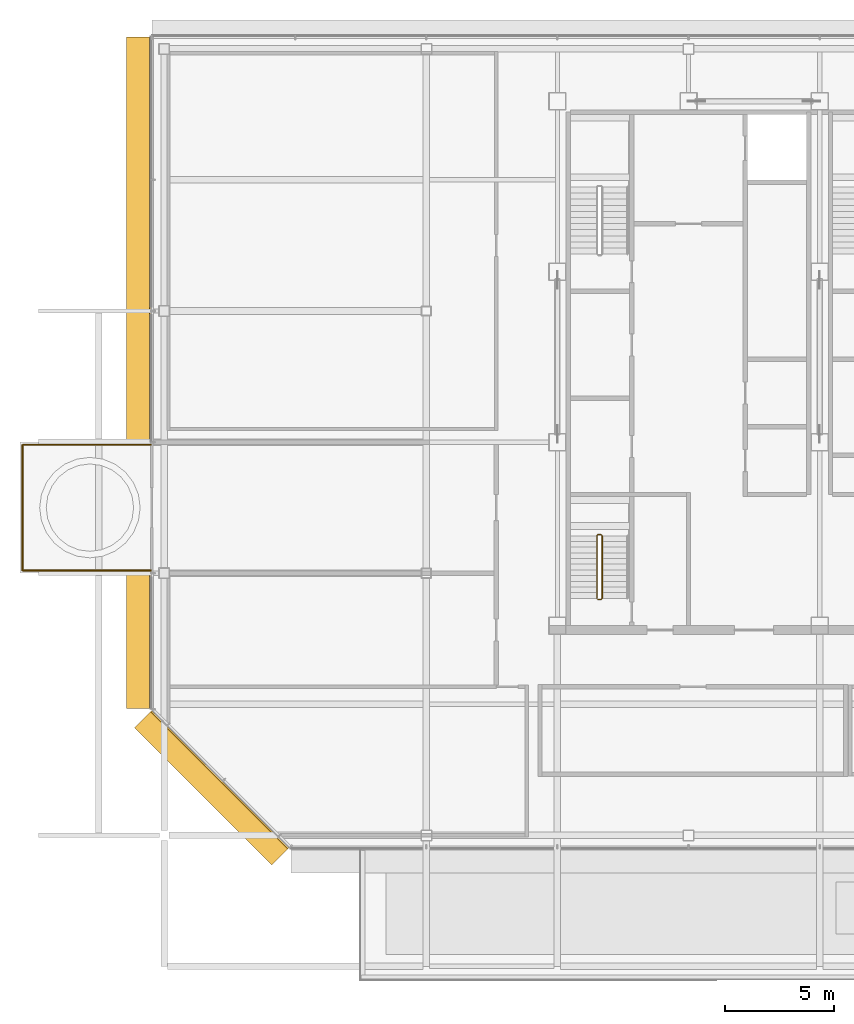
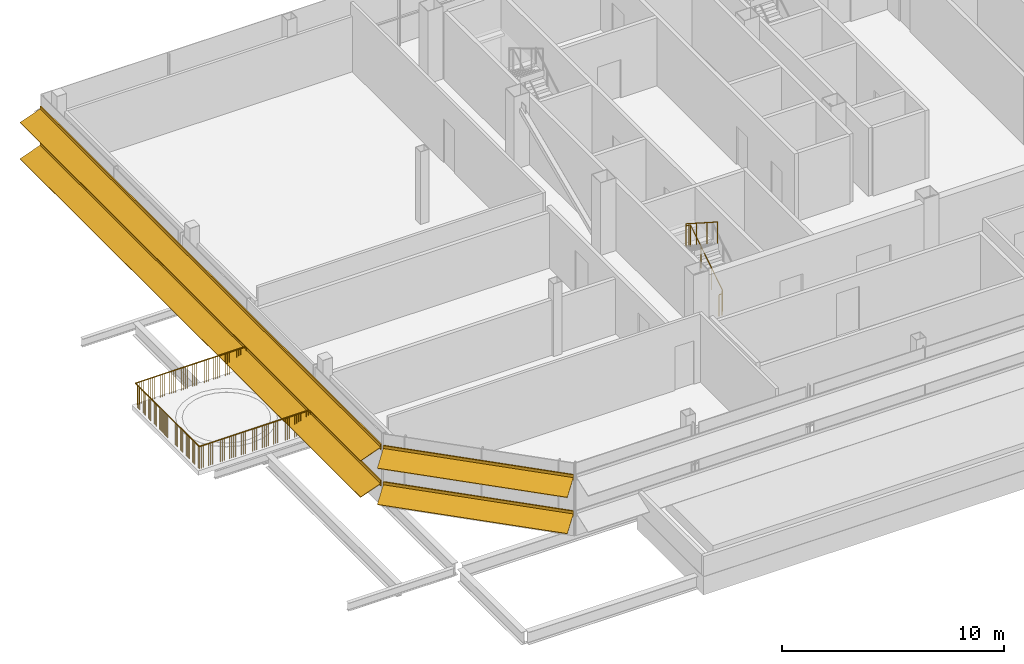
# One storey, part 24 of 26: 4 railings, 2 shading devices.
"""IFC4 building model written with IfcOpenShell, lengths in metres."""

import ifcopenshell
import ifcopenshell.guid

model = None  # the IFC model being written
_history = None  # IfcOwnerHistory: only IFC2X3 demands one
_inside = {}  # id of a spatial element -> (the spatial element, [elements in it])
_under = {}  # id of a project, library or spatial element -> (it, [spatial elements below it])
_declared = {}  # id of a project -> (the project, [libraries it declares])
_typed = {}  # id of a type object -> (the type object, [elements of that type])
_made_of = {}  # id of a material, layer set ... -> (it, [elements and type objects made of it])


def new_model(schema):
    """Start an empty IFC model of exactly this schema.

    Asked for "IFC4X3", IfcOpenShell would pick the latest addendum, in which some entities
    have other attributes; the version numbers below select the first issue.
    IFC2X3 requires an IfcOwnerHistory on every rooted entity: one is made here for all.
    """
    global model, _history
    if schema == "IFC4X3":
        model = ifcopenshell.file(schema_version=(4, 3, 0, 0))
    else:
        model = ifcopenshell.file(schema=schema)
    _inside.clear()
    _under.clear()
    _declared.clear()
    _typed.clear()
    _made_of.clear()
    _history = None
    if model.schema == "IFC2X3":
        org = make("IfcOrganization", Name="unknown")
        user = make(
            "IfcPersonAndOrganization",
            ThePerson=make("IfcPerson", FamilyName="unknown"),
            TheOrganization=org,
        )
        app = make(
            "IfcApplication",
            ApplicationDeveloper=org,
            Version="unknown",
            ApplicationFullName="unknown",
            ApplicationIdentifier="unknown",
        )
        _history = make(
            "IfcOwnerHistory",
            OwningUser=user,
            OwningApplication=app,
            ChangeAction="ADDED",
            CreationDate=0,
        )
    return model


def make(cls, **values):
    """One entity of the class cls with the attributes given. An attribute that is None is left unset."""
    return model.create_entity(
        cls, **{name: value for name, value in values.items() if value is not None}
    )


def rooted(cls, **values):
    """An entity with a GlobalId (a new one), such as an element, a storey or a relation."""
    return make(cls, GlobalId=ifcopenshell.guid.new(), OwnerHistory=_history, **values)


def si_unit(unit_type, name, prefix=None):
    """IfcSIUnit, for example si_unit("LENGTHUNIT", "METRE", prefix="MILLI")."""
    return make("IfcSIUnit", UnitType=unit_type, Prefix=prefix, Name=name)


def assignment(units):
    """IfcUnitAssignment: the units of a project."""
    return None if units is None else make("IfcUnitAssignment", Units=units)


def point(xyz):
    """IfcCartesianPoint."""
    return None if xyz is None else make("IfcCartesianPoint", Coordinates=xyz)


def direction(xyz):
    """IfcDirection."""
    return None if xyz is None else make("IfcDirection", DirectionRatios=xyz)


def frame(location, z_axis=None, x_axis=None):
    """IfcAxis2Placement3D, a coordinate frame: its origin and axes. An axis left out is left unset."""
    return make(
        "IfcAxis2Placement3D",
        Location=point(location),
        Axis=direction(z_axis),
        RefDirection=direction(x_axis),
    )


def frame_2d(location, x_axis=None):
    """IfcAxis2Placement2D, a coordinate frame in the plane: its origin and x axis."""
    return make(
        "IfcAxis2Placement2D", Location=point(location), RefDirection=direction(x_axis)
    )


def origin():
    """The frame at (0, 0, 0) with its axes left unset."""
    return frame((0.0, 0.0, 0.0))


def origin_2d():
    """The frame at (0, 0) in the plane with its x axis left unset."""
    return frame_2d((0.0, 0.0))


def place(relative_to, where):
    """IfcLocalPlacement: puts the frame where relative to a parent placement (None: the world)."""
    return make(
        "IfcLocalPlacement", PlacementRelTo=relative_to, RelativePlacement=where
    )


def context(
    kind, dimensions, precision=None, world=None, true_north=None, identifier=None
):
    """IfcGeometricRepresentationContext, for example the 3D "Model" context."""
    return make(
        "IfcGeometricRepresentationContext",
        ContextIdentifier=identifier,
        ContextType=kind,
        CoordinateSpaceDimension=dimensions,
        Precision=precision,
        WorldCoordinateSystem=world,
        TrueNorth=true_north,
    )


def subcontext(parent, identifier, kind, view, scale=None):
    """IfcGeometricRepresentationSubContext, for example "Body" below "Model"."""
    return make(
        "IfcGeometricRepresentationSubContext",
        ContextIdentifier=identifier,
        ContextType=kind,
        ParentContext=parent,
        TargetScale=scale,
        TargetView=view,
    )


def project(units=None, contexts=None):
    """IfcProject with its units and contexts."""
    return rooted(
        "IfcProject",
        Name="project",
        RepresentationContexts=contexts,
        UnitsInContext=assignment(units),
    )


def spatial(cls, under=None, at=None, **own):
    """A site, building, storey or space (cls), placed at a placement, below another one or the project."""
    s = rooted(cls, ObjectPlacement=at, **own)
    if under is not None:
        _under.setdefault(under.id(), (under, []))[1].append(s)
    return s


def polyline(points):
    """IfcPolyline through the points."""
    return make("IfcPolyline", Points=[point(p) for p in points])


def profile(cls, at=None, kind="AREA", **sizes):
    """A parametric profile (cls). Its sizes go by their IFC names, for example OverallWidth=200.0."""
    return make(cls, ProfileType=kind, Position=at, **sizes)


def circle(**sizes):
    """IfcCircleProfileDef."""
    return profile("IfcCircleProfileDef", **sizes)


def outline(outer, holes=None, kind="AREA"):
    """IfcArbitraryClosedProfileDef: a profile drawn as a closed curve; with holes, ...WithVoids."""
    if holes is None:
        return make("IfcArbitraryClosedProfileDef", ProfileType=kind, OuterCurve=outer)
    return make(
        "IfcArbitraryProfileDefWithVoids",
        ProfileType=kind,
        OuterCurve=outer,
        InnerCurves=holes,
    )


def composite_profile(profiles, kind="AREA"):
    """IfcCompositeProfileDef: several profiles as one."""
    return make("IfcCompositeProfileDef", ProfileType=kind, Profiles=profiles)


def extrude(swept, where, along, depth):
    """IfcExtrudedAreaSolid: the profile swept, set in the frame where, extruded along a direction by depth."""
    return make(
        "IfcExtrudedAreaSolid",
        SweptArea=swept,
        Position=where,
        ExtrudedDirection=direction(along),
        Depth=depth,
    )


def shape(context_of_items, identifier, shape_type, items):
    """IfcShapeRepresentation: the items that make up one representation, for example the "Body"."""
    return make(
        "IfcShapeRepresentation",
        ContextOfItems=context_of_items,
        RepresentationIdentifier=identifier,
        RepresentationType=shape_type,
        Items=items,
    )


def material(Name=None, Category=None):
    """IfcMaterial."""
    return make("IfcMaterial", Name=Name, Category=Category)


def made_of(thing, what):
    """Note that an element or type object is made of a material, layer set ...; save() writes the relation."""
    if what is not None:
        _made_of.setdefault(what.id(), (what, []))[1].append(thing)
    return thing


def type_object(cls, material=None, **own):
    """A type object (cls), such as IfcWallType, which elements share."""
    return made_of(rooted(cls, **own), material)


def element(
    cls,
    number,
    at=None,
    inside=None,
    cuts=None,
    type_object=None,
    material=None,
    context=None,
    identifier="Body",
    shape_type=None,
    held_by="IfcProductDefinitionShape",
    body=None,
    shapes=None,
    **own,
):
    """One element of the class cls, such as IfcWall. Its Tag is "e" and its number.

    at: its placement. inside: the storey or other place that contains it. cuts: it is an
    opening in that element (IfcRelVoidsElement). A single representation is given by context,
    identifier, shape_type and body (its items); several are given by shapes. held_by: the class
    of the entity that holds the representations. save() writes the other relations.
    """
    e = rooted(cls, Tag="e%d" % number, ObjectPlacement=at, **own)
    if body is not None:
        shapes = [shape(context, identifier, shape_type, body)]
    if shapes is not None:
        e.Representation = make(held_by, Representations=shapes)
    if inside is not None:
        _inside.setdefault(inside.id(), (inside, []))[1].append(e)
    if cuts is not None:
        rooted(
            "IfcRelVoidsElement", RelatingBuildingElement=cuts, RelatedOpeningElement=e
        )
    if type_object is not None:
        _typed.setdefault(type_object.id(), (type_object, []))[1].append(e)
    return made_of(e, material)


def aggregate(whole, parts):
    """IfcRelAggregates: a whole, such as a stair, and the parts it consists of."""
    return rooted("IfcRelAggregates", RelatingObject=whole, RelatedObjects=parts)


def save(model, path):
    """Write the relations noted so far, then the file.

    IfcRelAggregates (storeys below a building ...), IfcRelContainedInSpatialStructure (elements
    in a storey), IfcRelDefinesByType, IfcRelAssociatesMaterial and IfcRelDeclares: one each for
    every whole, place, type object, material and project.
    """
    for whole, parts in _under.values():
        aggregate(whole, parts)
    for where, things in _inside.values():
        rooted(
            "IfcRelContainedInSpatialStructure",
            RelatedElements=things,
            RelatingStructure=where,
        )
    for kind, things in _typed.values():
        rooted("IfcRelDefinesByType", RelatedObjects=things, RelatingType=kind)
    for what, things in _made_of.values():
        rooted("IfcRelAssociatesMaterial", RelatedObjects=things, RelatingMaterial=what)
    for by, libraries in _declared.values():
        rooted("IfcRelDeclares", RelatingContext=by, RelatedDefinitions=libraries)
    model.write(path)


model = new_model("IFC4")

# Units and contexts
model_context = context("Model", 3, precision=1e-05, world=origin(), true_north=direction((0.0, 1.0)))
body_context = subcontext(model_context, "Body", "Model", "MODEL_VIEW")
ifc_project = project(units=[si_unit("LENGTHUNIT", "METRE"), si_unit("AREAUNIT", "SQUARE_METRE"), si_unit("VOLUMEUNIT", "CUBIC_METRE"), si_unit("PLANEANGLEUNIT", "RADIAN"), si_unit("MASSUNIT", "GRAM", prefix="KILO")], contexts=[model_context])

# Site, building, storey
site_placement = place(None, origin())
site = spatial("IfcSite", under=ifc_project, at=site_placement, CompositionType="ELEMENT")
building_placement = place(site_placement, origin())
building = spatial("IfcBuilding", under=site, at=building_placement, Name="Sorahane Residences", CompositionType="ELEMENT")
storey_placement = place(building_placement, frame((0.0, 0.0, 337.800048828125)))
storey = spatial("IfcBuildingStorey", under=building, at=storey_placement, Name="L80", CompositionType="ELEMENT", Elevation=337.800048828125)

# Shading devices
ifc_material_1 = material(Name="Terracotta anodised aluminium", Category="masonry")
shading_device_type_1 = type_object("IfcShadingDeviceType", Name="Louvre sunshade blade SW terracotta aluminium 1100", PredefinedType="JALOUSIE", material=ifc_material_1)
shading_device_1_placement = place(storey_placement, frame((-12.564697265625, 17.716064453125, 1.0), z_axis=(0.707106781187, -0.707106781187, 0.0), x_axis=(0.707106781187, 0.707106781187, 0.0)))
element("IfcShadingDevice", 1, at=shading_device_1_placement, inside=storey, type_object=shading_device_type_1, Name="Louvre sunshade blade bank SW L80 SW1", PredefinedType="JALOUSIE", context=body_context, shape_type="SweptSolid", body=[
    extrude(composite_profile([outline(polyline([(-1.1201171875, -0.385498046875), (-1.1201171875, -0.415283203125), (-0.080078125, -0.036865234375), (-0.080078125, -0.14990234375), (-0.02001953125, -0.14990234375), (-0.02001953125, -0.014892578125), (-0.02001953125, 0.014892578125), (-0.02001953125, 0.14990234375), (-0.080078125, 0.14990234375), (-0.080078125, -0.0068359375), (-1.1201171875, -0.385498046875)])), outline(polyline([(-1.1201171875, 1.614501953125), (-1.1201171875, 1.584716796875), (-0.080078125, 1.963134765625), (-0.080078125, 1.85009765625), (-0.02001953125, 1.85009765625), (-0.02001953125, 1.985107421875), (-0.02001953125, 2.014892578125), (-0.02001953125, 2.14990234375), (-0.080078125, 2.14990234375), (-0.080078125, 1.9931640625), (-1.1201171875, 1.614501953125)]))]), origin(), (0.0, 0.0, 1.0), 8.88232421875),
])
ifc_material_2 = material(Name="Terracotta anodised aluminium", Category="masonry")
shading_device_type_2 = type_object("IfcShadingDeviceType", Name="Louvre sunshade blade W terracotta aluminium 1100", PredefinedType="JALOUSIE", material=ifc_material_2)
shading_device_2_placement = place(storey_placement, frame((-12.60009765625, 48.550048828125, 1.0), z_axis=(0.0, -1.0, 0.0), x_axis=(1.0, 0.0, 0.0)))
element("IfcShadingDevice", 2, at=shading_device_2_placement, inside=storey, type_object=shading_device_type_2, Name="Louvre sunshade blade bank W L80 W1", PredefinedType="JALOUSIE", context=body_context, shape_type="SweptSolid", body=[
    extrude(composite_profile([outline(polyline([(-1.1201171875, -0.385498046875), (-1.1201171875, -0.415283203125), (-0.080078125, -0.036865234375), (-0.080078125, -0.14990234375), (-0.02001953125, -0.14990234375), (-0.02001953125, -0.014892578125), (-0.02001953125, 0.014892578125), (-0.02001953125, 0.14990234375), (-0.080078125, 0.14990234375), (-0.080078125, -0.0068359375), (-1.1201171875, -0.385498046875)])), outline(polyline([(-1.1201171875, 1.614501953125), (-1.1201171875, 1.584716796875), (-0.080078125, 1.963134765625), (-0.080078125, 1.85009765625), (-0.02001953125, 1.85009765625), (-0.02001953125, 1.985107421875), (-0.02001953125, 2.014892578125), (-0.02001953125, 2.14990234375), (-0.080078125, 2.14990234375), (-0.080078125, 1.9931640625), (-1.1201171875, 1.614501953125)]))]), origin(), (0.0, 0.0, 1.0), 30.74853515625),
])

# Railings
ifc_material_3 = material(Name="Black powder-coated steel", Category="steel")
railing_type_1 = type_object("IfcRailingType", Name="Rescue platform gate black steel bars 1260", PredefinedType="GUARDRAIL", material=ifc_material_3)
railing_1_placement = place(storey_placement, frame((-18.47998046875, 26.39990234375, 0.0)))
element("IfcRailing", 3, at=railing_1_placement, inside=storey, type_object=railing_type_1, Name="Rescue platform gate", PredefinedType="GUARDRAIL", context=body_context, shape_type="SweptSolid", body=[
    extrude(circle(Radius=0.030029296875, at=origin_2d()), frame((0.0, 0.0, 1.22998046875), z_axis=(0.0, 1.0, 0.0), x_axis=(-1.0, 0.0, 0.0)), (0.0, 0.0, 1.0), 1.2001953125),
    extrude(circle(Radius=0.0068359375, at=origin_2d()), origin(), (0.0, 0.0, 1.0), 1.199951171875),
    extrude(circle(Radius=0.0068359375, at=origin_2d()), frame((0.0, 0.09228515625, 0.0)), (0.0, 0.0, 1.0), 1.199951171875),
    extrude(circle(Radius=0.0068359375, at=origin_2d()), frame((0.0, 0.1845703125, 0.0)), (0.0, 0.0, 1.0), 1.199951171875),
    extrude(circle(Radius=0.0068359375, at=origin_2d()), frame((0.0, 0.27685546875, 0.0)), (0.0, 0.0, 1.0), 1.199951171875),
    extrude(circle(Radius=0.0068359375, at=origin_2d()), frame((0.0, 0.369384765625, 0.0)), (0.0, 0.0, 1.0), 1.199951171875),
    extrude(circle(Radius=0.0068359375, at=origin_2d()), frame((0.0, 0.461669921875, 0.0)), (0.0, 0.0, 1.0), 1.199951171875),
    extrude(circle(Radius=0.0068359375, at=origin_2d()), frame((0.0, 0.553955078125, 0.0)), (0.0, 0.0, 1.0), 1.199951171875),
    extrude(circle(Radius=0.0068359375, at=origin_2d()), frame((0.0, 0.646240234375, 0.0)), (0.0, 0.0, 1.0), 1.199951171875),
    extrude(circle(Radius=0.0068359375, at=origin_2d()), frame((0.0, 0.738525390625, 0.0)), (0.0, 0.0, 1.0), 1.199951171875),
    extrude(circle(Radius=0.0068359375, at=origin_2d()), frame((0.0, 0.830810546875, 0.0)), (0.0, 0.0, 1.0), 1.199951171875),
    extrude(circle(Radius=0.0068359375, at=origin_2d()), frame((0.0, 0.92333984375, 0.0)), (0.0, 0.0, 1.0), 1.199951171875),
    extrude(circle(Radius=0.0068359375, at=origin_2d()), frame((0.0, 1.015625, 0.0)), (0.0, 0.0, 1.0), 1.199951171875),
    extrude(circle(Radius=0.0068359375, at=origin_2d()), frame((0.0, 1.10791015625, 0.0)), (0.0, 0.0, 1.0), 1.199951171875),
    extrude(circle(Radius=0.0068359375, at=origin_2d()), frame((0.0, 1.2001953125, 0.0)), (0.0, 0.0, 1.0), 1.199951171875),
])
ifc_material_4 = material(Name="Black powder-coated steel", Category="steel")
railing_type_2 = type_object("IfcRailingType", Name="Rescue platform guard black steel bars 1260", PredefinedType="GUARDRAIL", material=ifc_material_4)
railing_2_placement = place(storey_placement, frame((-12.60009765625, 24.1201171875, 0.0)))
element("IfcRailing", 4, at=railing_2_placement, inside=storey, type_object=railing_type_2, Name="Rescue platform guard south and west", PredefinedType="GUARDRAIL", context=body_context, shape_type="SweptSolid", body=[
    extrude(circle(Radius=0.030029296875, at=origin_2d()), frame((0.0, 0.0, 1.22998046875), z_axis=(-1.0, 0.0, 0.0), x_axis=(0.0, -1.0, 0.0)), (0.0, 0.0, 1.0), 5.8798828125),
    extrude(circle(Radius=0.030029296875, at=origin_2d()), frame((-5.8798828125, 0.0, 1.22998046875), z_axis=(0.0, 1.0, 0.0), x_axis=(-1.0, 0.0, 0.0)), (0.0, 0.0, 1.0), 2.27978515625),
    extrude(circle(Radius=0.0068359375, at=origin_2d()), origin(), (0.0, 0.0, 1.0), 1.199951171875),
    extrude(circle(Radius=0.0068359375, at=origin_2d()), frame((-0.099609375, 0.0, 0.0)), (0.0, 0.0, 1.0), 1.199951171875),
    extrude(circle(Radius=0.0068359375, at=origin_2d()), frame((-0.19921875, 0.0, 0.0)), (0.0, 0.0, 1.0), 1.199951171875),
    extrude(circle(Radius=0.0068359375, at=origin_2d()), frame((-0.299072265625, 0.0, 0.0)), (0.0, 0.0, 1.0), 1.199951171875),
    extrude(circle(Radius=0.0068359375, at=origin_2d()), frame((-0.398681640625, 0.0, 0.0)), (0.0, 0.0, 1.0), 1.199951171875),
    extrude(circle(Radius=0.0068359375, at=origin_2d()), frame((-0.498291015625, 0.0, 0.0)), (0.0, 0.0, 1.0), 1.199951171875),
    extrude(circle(Radius=0.0068359375, at=origin_2d()), frame((-0.597900390625, 0.0, 0.0)), (0.0, 0.0, 1.0), 1.199951171875),
    extrude(circle(Radius=0.0068359375, at=origin_2d()), frame((-0.697509765625, 0.0, 0.0)), (0.0, 0.0, 1.0), 1.199951171875),
    extrude(circle(Radius=0.0068359375, at=origin_2d()), frame((-0.79736328125, 0.0, 0.0)), (0.0, 0.0, 1.0), 1.199951171875),
    extrude(circle(Radius=0.0068359375, at=origin_2d()), frame((-0.89697265625, 0.0, 0.0)), (0.0, 0.0, 1.0), 1.199951171875),
    extrude(circle(Radius=0.0068359375, at=origin_2d()), frame((-0.99658203125, 0.0, 0.0)), (0.0, 0.0, 1.0), 1.199951171875),
    extrude(circle(Radius=0.0068359375, at=origin_2d()), frame((-1.09619140625, 0.0, 0.0)), (0.0, 0.0, 1.0), 1.199951171875),
    extrude(circle(Radius=0.0068359375, at=origin_2d()), frame((-1.19580078125, 0.0, 0.0)), (0.0, 0.0, 1.0), 1.199951171875),
    extrude(circle(Radius=0.0068359375, at=origin_2d()), frame((-1.295654296875, 0.0, 0.0)), (0.0, 0.0, 1.0), 1.199951171875),
    extrude(circle(Radius=0.0068359375, at=origin_2d()), frame((-1.395263671875, 0.0, 0.0)), (0.0, 0.0, 1.0), 1.199951171875),
    extrude(circle(Radius=0.0068359375, at=origin_2d()), frame((-1.494873046875, 0.0, 0.0)), (0.0, 0.0, 1.0), 1.199951171875),
    extrude(circle(Radius=0.0068359375, at=origin_2d()), frame((-1.594482421875, 0.0, 0.0)), (0.0, 0.0, 1.0), 1.199951171875),
    extrude(circle(Radius=0.0068359375, at=origin_2d()), frame((-1.694091796875, 0.0, 0.0)), (0.0, 0.0, 1.0), 1.199951171875),
    extrude(circle(Radius=0.0068359375, at=origin_2d()), frame((-1.7939453125, 0.0, 0.0)), (0.0, 0.0, 1.0), 1.199951171875),
    extrude(circle(Radius=0.0068359375, at=origin_2d()), frame((-1.8935546875, 0.0, 0.0)), (0.0, 0.0, 1.0), 1.199951171875),
    extrude(circle(Radius=0.0068359375, at=origin_2d()), frame((-1.9931640625, 0.0, 0.0)), (0.0, 0.0, 1.0), 1.199951171875),
    extrude(circle(Radius=0.0068359375, at=origin_2d()), frame((-2.0927734375, 0.0, 0.0)), (0.0, 0.0, 1.0), 1.199951171875),
    extrude(circle(Radius=0.0068359375, at=origin_2d()), frame((-2.1923828125, 0.0, 0.0)), (0.0, 0.0, 1.0), 1.199951171875),
    extrude(circle(Radius=0.0068359375, at=origin_2d()), frame((-2.292236328125, 0.0, 0.0)), (0.0, 0.0, 1.0), 1.199951171875),
    extrude(circle(Radius=0.0068359375, at=origin_2d()), frame((-2.391845703125, 0.0, 0.0)), (0.0, 0.0, 1.0), 1.199951171875),
    extrude(circle(Radius=0.0068359375, at=origin_2d()), frame((-2.491455078125, 0.0, 0.0)), (0.0, 0.0, 1.0), 1.199951171875),
    extrude(circle(Radius=0.0068359375, at=origin_2d()), frame((-2.591064453125, 0.0, 0.0)), (0.0, 0.0, 1.0), 1.199951171875),
    extrude(circle(Radius=0.0068359375, at=origin_2d()), frame((-2.690673828125, 0.0, 0.0)), (0.0, 0.0, 1.0), 1.199951171875),
    extrude(circle(Radius=0.0068359375, at=origin_2d()), frame((-2.79052734375, 0.0, 0.0)), (0.0, 0.0, 1.0), 1.199951171875),
    extrude(circle(Radius=0.0068359375, at=origin_2d()), frame((-2.89013671875, 0.0, 0.0)), (0.0, 0.0, 1.0), 1.199951171875),
    extrude(circle(Radius=0.0068359375, at=origin_2d()), frame((-2.98974609375, 0.0, 0.0)), (0.0, 0.0, 1.0), 1.199951171875),
    extrude(circle(Radius=0.0068359375, at=origin_2d()), frame((-3.08935546875, 0.0, 0.0)), (0.0, 0.0, 1.0), 1.199951171875),
    extrude(circle(Radius=0.0068359375, at=origin_2d()), frame((-3.189208984375, 0.0, 0.0)), (0.0, 0.0, 1.0), 1.199951171875),
    extrude(circle(Radius=0.0068359375, at=origin_2d()), frame((-3.288818359375, 0.0, 0.0)), (0.0, 0.0, 1.0), 1.199951171875),
    extrude(circle(Radius=0.0068359375, at=origin_2d()), frame((-3.388427734375, 0.0, 0.0)), (0.0, 0.0, 1.0), 1.199951171875),
    extrude(circle(Radius=0.0068359375, at=origin_2d()), frame((-3.488037109375, 0.0, 0.0)), (0.0, 0.0, 1.0), 1.199951171875),
    extrude(circle(Radius=0.0068359375, at=origin_2d()), frame((-3.587646484375, 0.0, 0.0)), (0.0, 0.0, 1.0), 1.199951171875),
    extrude(circle(Radius=0.0068359375, at=origin_2d()), frame((-3.6875, 0.0, 0.0)), (0.0, 0.0, 1.0), 1.199951171875),
    extrude(circle(Radius=0.0068359375, at=origin_2d()), frame((-3.787109375, 0.0, 0.0)), (0.0, 0.0, 1.0), 1.199951171875),
    extrude(circle(Radius=0.0068359375, at=origin_2d()), frame((-3.88671875, 0.0, 0.0)), (0.0, 0.0, 1.0), 1.199951171875),
    extrude(circle(Radius=0.0068359375, at=origin_2d()), frame((-3.986328125, 0.0, 0.0)), (0.0, 0.0, 1.0), 1.199951171875),
    extrude(circle(Radius=0.0068359375, at=origin_2d()), frame((-4.0859375, 0.0, 0.0)), (0.0, 0.0, 1.0), 1.199951171875),
    extrude(circle(Radius=0.0068359375, at=origin_2d()), frame((-4.185791015625, 0.0, 0.0)), (0.0, 0.0, 1.0), 1.199951171875),
    extrude(circle(Radius=0.0068359375, at=origin_2d()), frame((-4.285400390625, 0.0, 0.0)), (0.0, 0.0, 1.0), 1.199951171875),
    extrude(circle(Radius=0.0068359375, at=origin_2d()), frame((-4.385009765625, 0.0, 0.0)), (0.0, 0.0, 1.0), 1.199951171875),
    extrude(circle(Radius=0.0068359375, at=origin_2d()), frame((-4.484619140625, 0.0, 0.0)), (0.0, 0.0, 1.0), 1.199951171875),
    extrude(circle(Radius=0.0068359375, at=origin_2d()), frame((-4.584228515625, 0.0, 0.0)), (0.0, 0.0, 1.0), 1.199951171875),
    extrude(circle(Radius=0.0068359375, at=origin_2d()), frame((-4.68408203125, 0.0, 0.0)), (0.0, 0.0, 1.0), 1.199951171875),
    extrude(circle(Radius=0.0068359375, at=origin_2d()), frame((-4.78369140625, 0.0, 0.0)), (0.0, 0.0, 1.0), 1.199951171875),
    extrude(circle(Radius=0.0068359375, at=origin_2d()), frame((-4.88330078125, 0.0, 0.0)), (0.0, 0.0, 1.0), 1.199951171875),
    extrude(circle(Radius=0.0068359375, at=origin_2d()), frame((-4.98291015625, 0.0, 0.0)), (0.0, 0.0, 1.0), 1.199951171875),
    extrude(circle(Radius=0.0068359375, at=origin_2d()), frame((-5.08251953125, 0.0, 0.0)), (0.0, 0.0, 1.0), 1.199951171875),
    extrude(circle(Radius=0.0068359375, at=origin_2d()), frame((-5.182373046875, 0.0, 0.0)), (0.0, 0.0, 1.0), 1.199951171875),
    extrude(circle(Radius=0.0068359375, at=origin_2d()), frame((-5.281982421875, 0.0, 0.0)), (0.0, 0.0, 1.0), 1.199951171875),
    extrude(circle(Radius=0.0068359375, at=origin_2d()), frame((-5.381591796875, 0.0, 0.0)), (0.0, 0.0, 1.0), 1.199951171875),
    extrude(circle(Radius=0.0068359375, at=origin_2d()), frame((-5.481201171875, 0.0, 0.0)), (0.0, 0.0, 1.0), 1.199951171875),
    extrude(circle(Radius=0.0068359375, at=origin_2d()), frame((-5.580810546875, 0.0, 0.0)), (0.0, 0.0, 1.0), 1.199951171875),
    extrude(circle(Radius=0.0068359375, at=origin_2d()), frame((-5.6806640625, 0.0, 0.0)), (0.0, 0.0, 1.0), 1.199951171875),
    extrude(circle(Radius=0.0068359375, at=origin_2d()), frame((-5.7802734375, 0.0, 0.0)), (0.0, 0.0, 1.0), 1.199951171875),
    extrude(circle(Radius=0.0068359375, at=origin_2d()), frame((-5.8798828125, 0.0, 0.0)), (0.0, 0.0, 1.0), 1.199951171875),
    extrude(circle(Radius=0.0068359375, at=origin_2d()), frame((-5.8798828125, 0.09912109375, 0.0)), (0.0, 0.0, 1.0), 1.199951171875),
    extrude(circle(Radius=0.0068359375, at=origin_2d()), frame((-5.8798828125, 0.1982421875, 0.0)), (0.0, 0.0, 1.0), 1.199951171875),
    extrude(circle(Radius=0.0068359375, at=origin_2d()), frame((-5.8798828125, 0.29736328125, 0.0)), (0.0, 0.0, 1.0), 1.199951171875),
    extrude(circle(Radius=0.0068359375, at=origin_2d()), frame((-5.8798828125, 0.396484375, 0.0)), (0.0, 0.0, 1.0), 1.199951171875),
    extrude(circle(Radius=0.0068359375, at=origin_2d()), frame((-5.8798828125, 0.49560546875, 0.0)), (0.0, 0.0, 1.0), 1.199951171875),
    extrude(circle(Radius=0.0068359375, at=origin_2d()), frame((-5.8798828125, 0.5947265625, 0.0)), (0.0, 0.0, 1.0), 1.199951171875),
    extrude(circle(Radius=0.0068359375, at=origin_2d()), frame((-5.8798828125, 0.69384765625, 0.0)), (0.0, 0.0, 1.0), 1.199951171875),
    extrude(circle(Radius=0.0068359375, at=origin_2d()), frame((-5.8798828125, 0.79296875, 0.0)), (0.0, 0.0, 1.0), 1.199951171875),
    extrude(circle(Radius=0.0068359375, at=origin_2d()), frame((-5.8798828125, 0.89208984375, 0.0)), (0.0, 0.0, 1.0), 1.199951171875),
    extrude(circle(Radius=0.0068359375, at=origin_2d()), frame((-5.8798828125, 0.9912109375, 0.0)), (0.0, 0.0, 1.0), 1.199951171875),
    extrude(circle(Radius=0.0068359375, at=origin_2d()), frame((-5.8798828125, 1.09033203125, 0.0)), (0.0, 0.0, 1.0), 1.199951171875),
    extrude(circle(Radius=0.0068359375, at=origin_2d()), frame((-5.8798828125, 1.189453125, 0.0)), (0.0, 0.0, 1.0), 1.199951171875),
    extrude(circle(Radius=0.0068359375, at=origin_2d()), frame((-5.8798828125, 1.28857421875, 0.0)), (0.0, 0.0, 1.0), 1.199951171875),
    extrude(circle(Radius=0.0068359375, at=origin_2d()), frame((-5.8798828125, 1.3876953125, 0.0)), (0.0, 0.0, 1.0), 1.199951171875),
    extrude(circle(Radius=0.0068359375, at=origin_2d()), frame((-5.8798828125, 1.48681640625, 0.0)), (0.0, 0.0, 1.0), 1.199951171875),
    extrude(circle(Radius=0.0068359375, at=origin_2d()), frame((-5.8798828125, 1.5859375, 0.0)), (0.0, 0.0, 1.0), 1.199951171875),
    extrude(circle(Radius=0.0068359375, at=origin_2d()), frame((-5.8798828125, 1.68505859375, 0.0)), (0.0, 0.0, 1.0), 1.199951171875),
    extrude(circle(Radius=0.0068359375, at=origin_2d()), frame((-5.8798828125, 1.7841796875, 0.0)), (0.0, 0.0, 1.0), 1.199951171875),
    extrude(circle(Radius=0.0068359375, at=origin_2d()), frame((-5.8798828125, 1.88330078125, 0.0)), (0.0, 0.0, 1.0), 1.199951171875),
    extrude(circle(Radius=0.0068359375, at=origin_2d()), frame((-5.8798828125, 1.982421875, 0.0)), (0.0, 0.0, 1.0), 1.199951171875),
    extrude(circle(Radius=0.0068359375, at=origin_2d()), frame((-5.8798828125, 2.08154296875, 0.0)), (0.0, 0.0, 1.0), 1.199951171875),
    extrude(circle(Radius=0.0068359375, at=origin_2d()), frame((-5.8798828125, 2.1806640625, 0.0)), (0.0, 0.0, 1.0), 1.199951171875),
    extrude(circle(Radius=0.0068359375, at=origin_2d()), frame((-5.8798828125, 2.27978515625, 0.0)), (0.0, 0.0, 1.0), 1.199951171875),
])
railing_3_placement = place(storey_placement, frame((-18.47998046875, 27.60009765625, 0.0)))
element("IfcRailing", 5, at=railing_3_placement, inside=storey, type_object=railing_type_2, Name="Rescue platform guard west and north", PredefinedType="GUARDRAIL", context=body_context, shape_type="SweptSolid", body=[
    extrude(circle(Radius=0.030029296875, at=origin_2d()), frame((0.0, 0.0, 1.22998046875), z_axis=(0.0, 1.0, 0.0), x_axis=(-1.0, 0.0, 0.0)), (0.0, 0.0, 1.0), 2.27978515625),
    extrude(circle(Radius=0.030029296875, at=origin_2d()), frame((0.0, 2.27978515625, 1.22998046875), z_axis=(1.0, 0.0, 0.0), x_axis=(0.0, 1.0, 0.0)), (0.0, 0.0, 1.0), 5.8798828125),
    extrude(circle(Radius=0.0068359375, at=origin_2d()), origin(), (0.0, 0.0, 1.0), 1.199951171875),
    extrude(circle(Radius=0.0068359375, at=origin_2d()), frame((0.0, 0.09912109375, 0.0)), (0.0, 0.0, 1.0), 1.199951171875),
    extrude(circle(Radius=0.0068359375, at=origin_2d()), frame((0.0, 0.1982421875, 0.0)), (0.0, 0.0, 1.0), 1.199951171875),
    extrude(circle(Radius=0.0068359375, at=origin_2d()), frame((0.0, 0.29736328125, 0.0)), (0.0, 0.0, 1.0), 1.199951171875),
    extrude(circle(Radius=0.0068359375, at=origin_2d()), frame((0.0, 0.396484375, 0.0)), (0.0, 0.0, 1.0), 1.199951171875),
    extrude(circle(Radius=0.0068359375, at=origin_2d()), frame((0.0, 0.49560546875, 0.0)), (0.0, 0.0, 1.0), 1.199951171875),
    extrude(circle(Radius=0.0068359375, at=origin_2d()), frame((0.0, 0.5947265625, 0.0)), (0.0, 0.0, 1.0), 1.199951171875),
    extrude(circle(Radius=0.0068359375, at=origin_2d()), frame((0.0, 0.69384765625, 0.0)), (0.0, 0.0, 1.0), 1.199951171875),
    extrude(circle(Radius=0.0068359375, at=origin_2d()), frame((0.0, 0.79296875, 0.0)), (0.0, 0.0, 1.0), 1.199951171875),
    extrude(circle(Radius=0.0068359375, at=origin_2d()), frame((0.0, 0.89208984375, 0.0)), (0.0, 0.0, 1.0), 1.199951171875),
    extrude(circle(Radius=0.0068359375, at=origin_2d()), frame((0.0, 0.9912109375, 0.0)), (0.0, 0.0, 1.0), 1.199951171875),
    extrude(circle(Radius=0.0068359375, at=origin_2d()), frame((0.0, 1.09033203125, 0.0)), (0.0, 0.0, 1.0), 1.199951171875),
    extrude(circle(Radius=0.0068359375, at=origin_2d()), frame((0.0, 1.189453125, 0.0)), (0.0, 0.0, 1.0), 1.199951171875),
    extrude(circle(Radius=0.0068359375, at=origin_2d()), frame((0.0, 1.28857421875, 0.0)), (0.0, 0.0, 1.0), 1.199951171875),
    extrude(circle(Radius=0.0068359375, at=origin_2d()), frame((0.0, 1.3876953125, 0.0)), (0.0, 0.0, 1.0), 1.199951171875),
    extrude(circle(Radius=0.0068359375, at=origin_2d()), frame((0.0, 1.48681640625, 0.0)), (0.0, 0.0, 1.0), 1.199951171875),
    extrude(circle(Radius=0.0068359375, at=origin_2d()), frame((0.0, 1.5859375, 0.0)), (0.0, 0.0, 1.0), 1.199951171875),
    extrude(circle(Radius=0.0068359375, at=origin_2d()), frame((0.0, 1.68505859375, 0.0)), (0.0, 0.0, 1.0), 1.199951171875),
    extrude(circle(Radius=0.0068359375, at=origin_2d()), frame((0.0, 1.7841796875, 0.0)), (0.0, 0.0, 1.0), 1.199951171875),
    extrude(circle(Radius=0.0068359375, at=origin_2d()), frame((0.0, 1.88330078125, 0.0)), (0.0, 0.0, 1.0), 1.199951171875),
    extrude(circle(Radius=0.0068359375, at=origin_2d()), frame((0.0, 1.982421875, 0.0)), (0.0, 0.0, 1.0), 1.199951171875),
    extrude(circle(Radius=0.0068359375, at=origin_2d()), frame((0.0, 2.08154296875, 0.0)), (0.0, 0.0, 1.0), 1.199951171875),
    extrude(circle(Radius=0.0068359375, at=origin_2d()), frame((0.0, 2.1806640625, 0.0)), (0.0, 0.0, 1.0), 1.199951171875),
    extrude(circle(Radius=0.0068359375, at=origin_2d()), frame((0.0, 2.27978515625, 0.0)), (0.0, 0.0, 1.0), 1.199951171875),
    extrude(circle(Radius=0.0068359375, at=origin_2d()), frame((0.099609375, 2.27978515625, 0.0)), (0.0, 0.0, 1.0), 1.199951171875),
    extrude(circle(Radius=0.0068359375, at=origin_2d()), frame((0.19921875, 2.27978515625, 0.0)), (0.0, 0.0, 1.0), 1.199951171875),
    extrude(circle(Radius=0.0068359375, at=origin_2d()), frame((0.299072265625, 2.27978515625, 0.0)), (0.0, 0.0, 1.0), 1.199951171875),
    extrude(circle(Radius=0.0068359375, at=origin_2d()), frame((0.398681640625, 2.27978515625, 0.0)), (0.0, 0.0, 1.0), 1.199951171875),
    extrude(circle(Radius=0.0068359375, at=origin_2d()), frame((0.498291015625, 2.27978515625, 0.0)), (0.0, 0.0, 1.0), 1.199951171875),
    extrude(circle(Radius=0.0068359375, at=origin_2d()), frame((0.597900390625, 2.27978515625, 0.0)), (0.0, 0.0, 1.0), 1.199951171875),
    extrude(circle(Radius=0.0068359375, at=origin_2d()), frame((0.697509765625, 2.27978515625, 0.0)), (0.0, 0.0, 1.0), 1.199951171875),
    extrude(circle(Radius=0.0068359375, at=origin_2d()), frame((0.79736328125, 2.27978515625, 0.0)), (0.0, 0.0, 1.0), 1.199951171875),
    extrude(circle(Radius=0.0068359375, at=origin_2d()), frame((0.89697265625, 2.27978515625, 0.0)), (0.0, 0.0, 1.0), 1.199951171875),
    extrude(circle(Radius=0.0068359375, at=origin_2d()), frame((0.99658203125, 2.27978515625, 0.0)), (0.0, 0.0, 1.0), 1.199951171875),
    extrude(circle(Radius=0.0068359375, at=origin_2d()), frame((1.09619140625, 2.27978515625, 0.0)), (0.0, 0.0, 1.0), 1.199951171875),
    extrude(circle(Radius=0.0068359375, at=origin_2d()), frame((1.19580078125, 2.27978515625, 0.0)), (0.0, 0.0, 1.0), 1.199951171875),
    extrude(circle(Radius=0.0068359375, at=origin_2d()), frame((1.295654296875, 2.27978515625, 0.0)), (0.0, 0.0, 1.0), 1.199951171875),
    extrude(circle(Radius=0.0068359375, at=origin_2d()), frame((1.395263671875, 2.27978515625, 0.0)), (0.0, 0.0, 1.0), 1.199951171875),
    extrude(circle(Radius=0.0068359375, at=origin_2d()), frame((1.494873046875, 2.27978515625, 0.0)), (0.0, 0.0, 1.0), 1.199951171875),
    extrude(circle(Radius=0.0068359375, at=origin_2d()), frame((1.594482421875, 2.27978515625, 0.0)), (0.0, 0.0, 1.0), 1.199951171875),
    extrude(circle(Radius=0.0068359375, at=origin_2d()), frame((1.694091796875, 2.27978515625, 0.0)), (0.0, 0.0, 1.0), 1.199951171875),
    extrude(circle(Radius=0.0068359375, at=origin_2d()), frame((1.7939453125, 2.27978515625, 0.0)), (0.0, 0.0, 1.0), 1.199951171875),
    extrude(circle(Radius=0.0068359375, at=origin_2d()), frame((1.8935546875, 2.27978515625, 0.0)), (0.0, 0.0, 1.0), 1.199951171875),
    extrude(circle(Radius=0.0068359375, at=origin_2d()), frame((1.9931640625, 2.27978515625, 0.0)), (0.0, 0.0, 1.0), 1.199951171875),
    extrude(circle(Radius=0.0068359375, at=origin_2d()), frame((2.0927734375, 2.27978515625, 0.0)), (0.0, 0.0, 1.0), 1.199951171875),
    extrude(circle(Radius=0.0068359375, at=origin_2d()), frame((2.1923828125, 2.27978515625, 0.0)), (0.0, 0.0, 1.0), 1.199951171875),
    extrude(circle(Radius=0.0068359375, at=origin_2d()), frame((2.292236328125, 2.27978515625, 0.0)), (0.0, 0.0, 1.0), 1.199951171875),
    extrude(circle(Radius=0.0068359375, at=origin_2d()), frame((2.391845703125, 2.27978515625, 0.0)), (0.0, 0.0, 1.0), 1.199951171875),
    extrude(circle(Radius=0.0068359375, at=origin_2d()), frame((2.491455078125, 2.27978515625, 0.0)), (0.0, 0.0, 1.0), 1.199951171875),
    extrude(circle(Radius=0.0068359375, at=origin_2d()), frame((2.591064453125, 2.27978515625, 0.0)), (0.0, 0.0, 1.0), 1.199951171875),
    extrude(circle(Radius=0.0068359375, at=origin_2d()), frame((2.690673828125, 2.27978515625, 0.0)), (0.0, 0.0, 1.0), 1.199951171875),
    extrude(circle(Radius=0.0068359375, at=origin_2d()), frame((2.79052734375, 2.27978515625, 0.0)), (0.0, 0.0, 1.0), 1.199951171875),
    extrude(circle(Radius=0.0068359375, at=origin_2d()), frame((2.89013671875, 2.27978515625, 0.0)), (0.0, 0.0, 1.0), 1.199951171875),
    extrude(circle(Radius=0.0068359375, at=origin_2d()), frame((2.98974609375, 2.27978515625, 0.0)), (0.0, 0.0, 1.0), 1.199951171875),
    extrude(circle(Radius=0.0068359375, at=origin_2d()), frame((3.08935546875, 2.27978515625, 0.0)), (0.0, 0.0, 1.0), 1.199951171875),
    extrude(circle(Radius=0.0068359375, at=origin_2d()), frame((3.189208984375, 2.27978515625, 0.0)), (0.0, 0.0, 1.0), 1.199951171875),
    extrude(circle(Radius=0.0068359375, at=origin_2d()), frame((3.288818359375, 2.27978515625, 0.0)), (0.0, 0.0, 1.0), 1.199951171875),
    extrude(circle(Radius=0.0068359375, at=origin_2d()), frame((3.388427734375, 2.27978515625, 0.0)), (0.0, 0.0, 1.0), 1.199951171875),
    extrude(circle(Radius=0.0068359375, at=origin_2d()), frame((3.488037109375, 2.27978515625, 0.0)), (0.0, 0.0, 1.0), 1.199951171875),
    extrude(circle(Radius=0.0068359375, at=origin_2d()), frame((3.587646484375, 2.27978515625, 0.0)), (0.0, 0.0, 1.0), 1.199951171875),
    extrude(circle(Radius=0.0068359375, at=origin_2d()), frame((3.6875, 2.27978515625, 0.0)), (0.0, 0.0, 1.0), 1.199951171875),
    extrude(circle(Radius=0.0068359375, at=origin_2d()), frame((3.787109375, 2.27978515625, 0.0)), (0.0, 0.0, 1.0), 1.199951171875),
    extrude(circle(Radius=0.0068359375, at=origin_2d()), frame((3.88671875, 2.27978515625, 0.0)), (0.0, 0.0, 1.0), 1.199951171875),
    extrude(circle(Radius=0.0068359375, at=origin_2d()), frame((3.986328125, 2.27978515625, 0.0)), (0.0, 0.0, 1.0), 1.199951171875),
    extrude(circle(Radius=0.0068359375, at=origin_2d()), frame((4.0859375, 2.27978515625, 0.0)), (0.0, 0.0, 1.0), 1.199951171875),
    extrude(circle(Radius=0.0068359375, at=origin_2d()), frame((4.185791015625, 2.27978515625, 0.0)), (0.0, 0.0, 1.0), 1.199951171875),
    extrude(circle(Radius=0.0068359375, at=origin_2d()), frame((4.285400390625, 2.27978515625, 0.0)), (0.0, 0.0, 1.0), 1.199951171875),
    extrude(circle(Radius=0.0068359375, at=origin_2d()), frame((4.385009765625, 2.27978515625, 0.0)), (0.0, 0.0, 1.0), 1.199951171875),
    extrude(circle(Radius=0.0068359375, at=origin_2d()), frame((4.484619140625, 2.27978515625, 0.0)), (0.0, 0.0, 1.0), 1.199951171875),
    extrude(circle(Radius=0.0068359375, at=origin_2d()), frame((4.584228515625, 2.27978515625, 0.0)), (0.0, 0.0, 1.0), 1.199951171875),
    extrude(circle(Radius=0.0068359375, at=origin_2d()), frame((4.68408203125, 2.27978515625, 0.0)), (0.0, 0.0, 1.0), 1.199951171875),
    extrude(circle(Radius=0.0068359375, at=origin_2d()), frame((4.78369140625, 2.27978515625, 0.0)), (0.0, 0.0, 1.0), 1.199951171875),
    extrude(circle(Radius=0.0068359375, at=origin_2d()), frame((4.88330078125, 2.27978515625, 0.0)), (0.0, 0.0, 1.0), 1.199951171875),
    extrude(circle(Radius=0.0068359375, at=origin_2d()), frame((4.98291015625, 2.27978515625, 0.0)), (0.0, 0.0, 1.0), 1.199951171875),
    extrude(circle(Radius=0.0068359375, at=origin_2d()), frame((5.08251953125, 2.27978515625, 0.0)), (0.0, 0.0, 1.0), 1.199951171875),
    extrude(circle(Radius=0.0068359375, at=origin_2d()), frame((5.182373046875, 2.27978515625, 0.0)), (0.0, 0.0, 1.0), 1.199951171875),
    extrude(circle(Radius=0.0068359375, at=origin_2d()), frame((5.281982421875, 2.27978515625, 0.0)), (0.0, 0.0, 1.0), 1.199951171875),
    extrude(circle(Radius=0.0068359375, at=origin_2d()), frame((5.381591796875, 2.27978515625, 0.0)), (0.0, 0.0, 1.0), 1.199951171875),
    extrude(circle(Radius=0.0068359375, at=origin_2d()), frame((5.481201171875, 2.27978515625, 0.0)), (0.0, 0.0, 1.0), 1.199951171875),
    extrude(circle(Radius=0.0068359375, at=origin_2d()), frame((5.580810546875, 2.27978515625, 0.0)), (0.0, 0.0, 1.0), 1.199951171875),
    extrude(circle(Radius=0.0068359375, at=origin_2d()), frame((5.6806640625, 2.27978515625, 0.0)), (0.0, 0.0, 1.0), 1.199951171875),
    extrude(circle(Radius=0.0068359375, at=origin_2d()), frame((5.7802734375, 2.27978515625, 0.0)), (0.0, 0.0, 1.0), 1.199951171875),
    extrude(circle(Radius=0.0068359375, at=origin_2d()), frame((5.8798828125, 2.27978515625, 0.0)), (0.0, 0.0, 1.0), 1.199951171875),
])
ifc_material_5 = material(Name="Steel Q355B", Category="steel")
railing_type_3 = type_object("IfcRailingType", Name="Stair guard 1200 Steel Q355B", PredefinedType="GUARDRAIL", material=ifc_material_5)
railing_4_placement = place(storey_placement, frame((7.85009765625, 22.800048828125, 0.0)))
element("IfcRailing", 6, at=railing_4_placement, inside=storey, type_object=railing_type_3, Name="L80 S4 stair guard 1", PredefinedType="GUARDRAIL", context=body_context, shape_type="SweptSolid", body=[
    extrude(circle(Radius=0.02392578125, at=origin_2d()), frame((0.0, 0.0, 1.17578125), z_axis=(1.0, 0.0, 0.0), x_axis=(0.0, 1.0, 0.0)), (0.0, 0.0, 1.0), 0.14990234375),
    extrude(circle(Radius=0.02392578125, at=origin_2d()), frame((0.14990234375, 0.0, 1.17578125), z_axis=(0.27662974545, 0.27662974545, 0.920299933644), x_axis=(-0.707106781187, 0.707106781187, 0.0)), (0.0, 0.0, 1.0), 0.180908203125),
    extrude(circle(Radius=0.02392578125, at=origin_2d()), frame((0.199951171875, 0.050048828125, 1.34228515625), z_axis=(0.0, 0.841845648701, 0.539718355963), x_axis=(-1.0, 0.0, 0.0)), (0.0, 0.0, 1.0), 3.397216796875),
    extrude(circle(Radius=0.02392578125, at=origin_2d()), frame((0.199951171875, 2.909912109375, 3.17578125), z_axis=(-0.707106781187, 0.707106781187, 0.0), x_axis=(-0.707106781187, -0.707106781187, 0.0)), (0.0, 0.0, 1.0), 0.07080078125),
    extrude(circle(Radius=0.02392578125, at=origin_2d()), frame((0.14990234375, 2.9599609375, 3.17578125), z_axis=(-1.0, 0.0, 0.0), x_axis=(0.0, -1.0, 0.0)), (0.0, 0.0, 1.0), 0.14990234375),
    extrude(circle(Radius=0.02392578125, at=origin_2d()), frame((0.0, 2.9599609375, 3.17578125), z_axis=(-0.27662974545, -0.27662974545, 0.920299933644), x_axis=(0.707106781187, -0.707106781187, 0.0)), (0.0, 0.0, 1.0), 0.180908203125),
    extrude(circle(Radius=0.02392578125, at=origin_2d()), frame((-0.050048828125, 2.909912109375, 3.34228515625), z_axis=(0.0, -0.841845648701, 0.539718355963), x_axis=(1.0, 0.0, 0.0)), (0.0, 0.0, 1.0), 3.397216796875),
    extrude(circle(Radius=0.02099609375, at=origin_2d()), origin(), (0.0, 0.0, 1.0), 1.15185546875),
    extrude(circle(Radius=0.02099609375, at=origin_2d()), frame((0.14990234375, 0.0, 0.0)), (0.0, 0.0, 1.0), 1.15185546875),
    extrude(circle(Radius=0.02099609375, at=origin_2d()), frame((0.199951171875, 0.050048828125, 0.16650390625)), (0.0, 0.0, 1.0), 1.15185546875),
    extrude(circle(Radius=0.02099609375, at=origin_2d()), frame((0.199951171875, 1.00341796875, 0.777587890625)), (0.0, 0.0, 1.0), 1.15185546875),
    extrude(circle(Radius=0.02099609375, at=origin_2d()), frame((0.199951171875, 1.95654296875, 1.388916015625)), (0.0, 0.0, 1.0), 1.15185546875),
    extrude(circle(Radius=0.02099609375, at=origin_2d()), frame((0.199951171875, 2.909912109375, 2.0)), (0.0, 0.0, 1.0), 1.15185546875),
    extrude(circle(Radius=0.02099609375, at=origin_2d()), frame((0.14990234375, 2.9599609375, 2.0)), (0.0, 0.0, 1.0), 1.15185546875),
    extrude(circle(Radius=0.02099609375, at=origin_2d()), frame((0.0, 2.9599609375, 2.0)), (0.0, 0.0, 1.0), 1.15185546875),
    extrude(circle(Radius=0.02099609375, at=origin_2d()), frame((-0.050048828125, 2.909912109375, 2.16650390625)), (0.0, 0.0, 1.0), 1.15185546875),
    extrude(circle(Radius=0.02099609375, at=origin_2d()), frame((-0.050048828125, 1.95654296875, 2.777587890625)), (0.0, 0.0, 1.0), 1.15185546875),
    extrude(circle(Radius=0.02099609375, at=origin_2d()), frame((-0.050048828125, 1.00341796875, 3.388916015625)), (0.0, 0.0, 1.0), 1.15185546875),
    extrude(circle(Radius=0.02099609375, at=origin_2d()), frame((-0.050048828125, 0.050048828125, 4.0)), (0.0, 0.0, 1.0), 1.15185546875),
])

save(model, "model.ifc")
